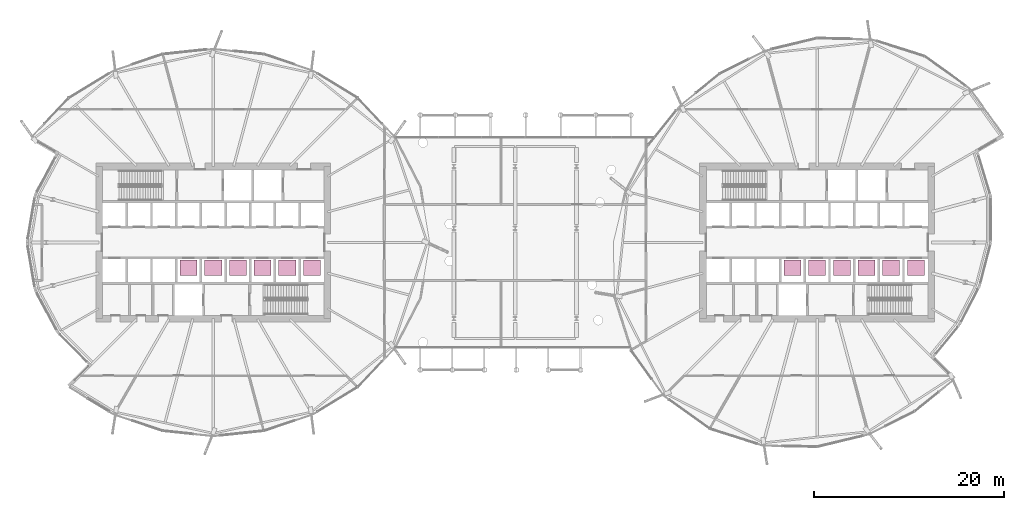
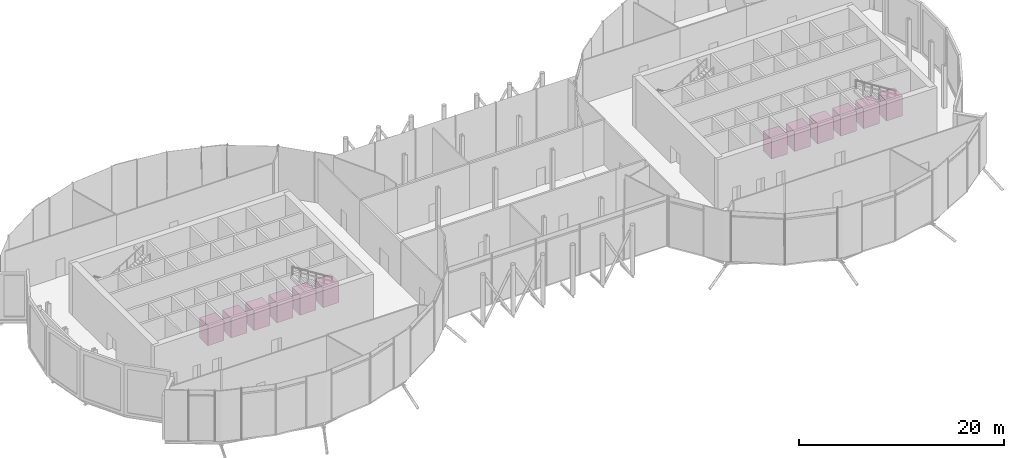
# One storey, part 38 of 38: 12 transport elements.
"""IFC4 building model written with IfcOpenShell, lengths in metres."""

from ifc_helpers import new_model, si_unit, direction, frame, origin, origin_2d, place, context, subcontext, project, spatial, rectangle, extrude, material, type_object, element, save


model = new_model("IFC4")

# Units and contexts
model_context = context("Model", 3, precision=1e-05, world=origin(), true_north=direction((0.0, 1.0)))
body_context = subcontext(model_context, "Body", "Model", "MODEL_VIEW")
ifc_project = project(units=[si_unit("LENGTHUNIT", "METRE"), si_unit("AREAUNIT", "SQUARE_METRE"), si_unit("VOLUMEUNIT", "CUBIC_METRE"), si_unit("PLANEANGLEUNIT", "RADIAN"), si_unit("MASSUNIT", "GRAM", prefix="KILO")], contexts=[model_context])

# Site, building, storey
site_placement = place(None, origin())
site = spatial("IfcSite", under=ifc_project, at=site_placement, CompositionType="ELEMENT")
building_placement = place(site_placement, origin())
building = spatial("IfcBuilding", under=site, at=building_placement, Name="Rimbun Link Towers", CompositionType="ELEMENT")
storey_placement = place(building_placement, frame((0.0, 0.0, 133.199951171875)))
storey = spatial("IfcBuildingStorey", under=building, at=storey_placement, Name="L32", CompositionType="ELEMENT", Elevation=133.199951171875)

# Transport elements
ifc_material = material(Name="Stainless steel grade 316", Category="steel")
transport_element_type = type_object("IfcTransportElementType", Name="Passenger lift car", PredefinedType="ELEVATOR", material=ifc_material)
for number, where, z_axis, x_axis, name in (
    (1, (-34.344482421875, -2.64990234375, 0.0), (0.0, 0.0, 1.0), (1.0, 0.0, 0.0), "Passenger lift high-rise HR1 car T1"),
    (2, (-31.75, -2.64990234375, 0.0), (0.0, 0.0, 1.0), (1.0, 0.0, 0.0), "Passenger lift high-rise HR2 car T1"),
    (3, (-29.155517578125, -2.64990234375, 0.0), (0.0, 0.0, 1.0), (1.0, 0.0, 0.0), "Passenger lift high-rise HR3 car T1"),
    (4, (-26.56103515625, -2.64990234375, 0.0), (0.0, 0.0, 1.0), (1.0, 0.0, 0.0), "Passenger lift high-rise HR4 car T1"),
    (5, (-23.966552734375, -2.64990234375, 0.0), (0.0, 0.0, 1.0), (1.0, 0.0, 0.0), "Passenger lift high-rise HR5 car T1"),
    (6, (-21.372314453125, -2.64990234375, 0.0), (0.0, 0.0, 1.0), (1.0, 0.0, 0.0), "Passenger lift high-rise HR6 car T1"),
    (7, (29.155517578125, -2.64990234375, 0.0), (0.0, 0.0, 1.0), (1.0, 0.0, 0.0), "Passenger lift high-rise HR1 car T2"),
    (8, (31.75, -2.64990234375, 0.0), (0.0, 0.0, 1.0), (1.0, 0.0, 0.0), "Passenger lift high-rise HR2 car T2"),
    (9, (34.344482421875, -2.64990234375, 0.0), (0.0, 0.0, 1.0), (1.0, 0.0, 0.0), "Passenger lift high-rise HR3 car T2"),
    (10, (36.93896484375, -2.64990234375, 0.0), (0.0, 0.0, 1.0), (1.0, 0.0, 0.0), "Passenger lift high-rise HR4 car T2"),
    (11, (39.533447265625, -2.64990234375, 0.0), (0.0, 0.0, 1.0), (1.0, 0.0, 0.0), "Passenger lift high-rise HR5 car T2"),
    (12, (42.127685546875, -2.64990234375, 0.0), (0.0, 0.0, 1.0), (1.0, 0.0, 0.0), "Passenger lift high-rise HR6 car T2"),
):
    element("IfcTransportElement", number, at=place(storey_placement, frame(where, z_axis=z_axis, x_axis=x_axis)), inside=storey, type_object=transport_element_type, Name=name, PredefinedType="ELEVATOR", context=body_context, shape_type="SweptSolid", body=[
        extrude(rectangle(XDim=1.800048828125, YDim=1.60009765625, at=origin_2d()), origin(), (0.0, 0.0, 1.0), 2.39990234375),
    ])

save(model, "model.ifc")
